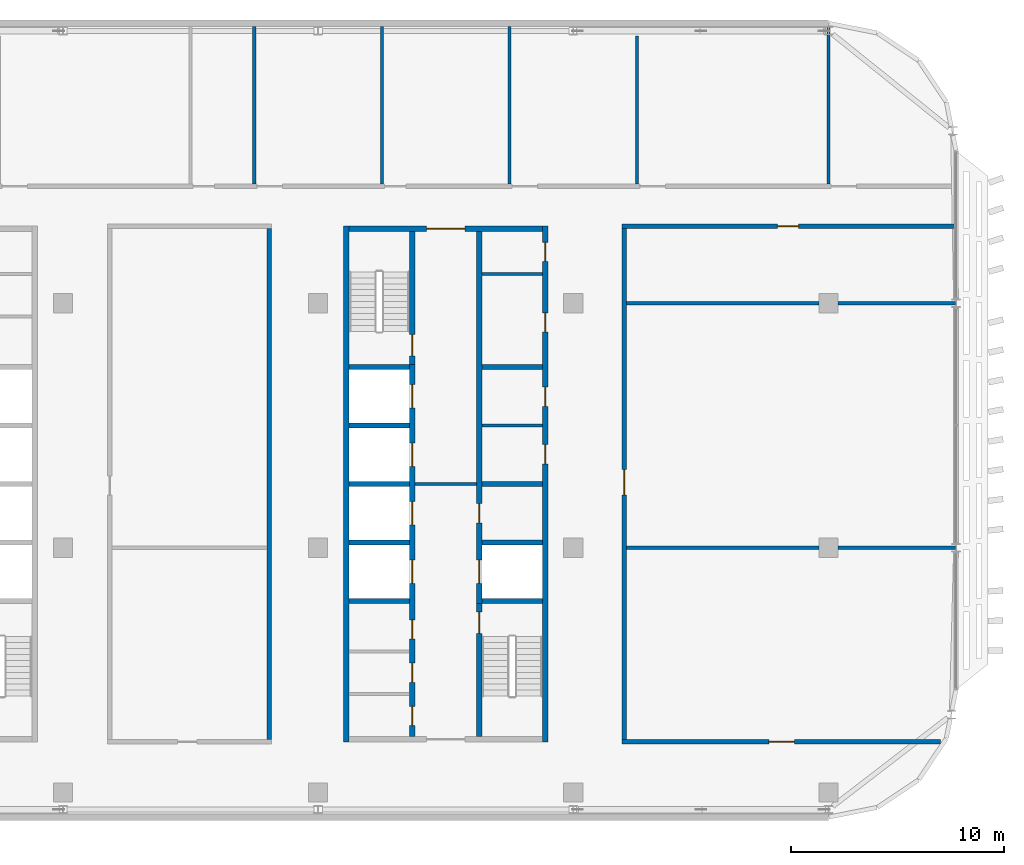
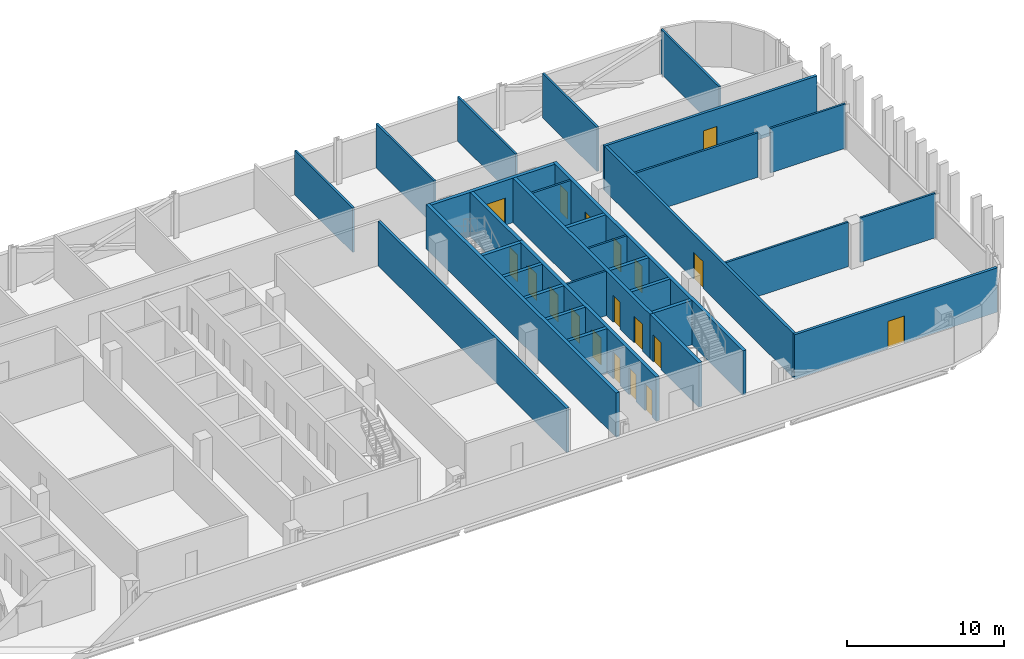
# One storey, part 15 of 25: 32 walls, 19 doors, 19 openings.
"""IFC4 building model written with IfcOpenShell, lengths in metres."""

from ifc_helpers import new_model, si_unit, direction, frame, frame_2d, origin, place, context, subcontext, project, spatial, rectangle, extrude, material, layer, layer_set, type_object, element, fill, save


model = new_model("IFC4")

# Units and contexts
model_context = context("Model", 3, precision=1e-05, world=origin(), true_north=direction((0.0, 1.0)))
body_context = subcontext(model_context, "Body", "Model", "MODEL_VIEW")
ifc_project = project(units=[si_unit("LENGTHUNIT", "METRE"), si_unit("AREAUNIT", "SQUARE_METRE"), si_unit("VOLUMEUNIT", "CUBIC_METRE"), si_unit("PLANEANGLEUNIT", "RADIAN"), si_unit("MASSUNIT", "GRAM", prefix="KILO")], contexts=[model_context])

# Site, building, storey
site_placement = place(None, origin())
site = spatial("IfcSite", under=ifc_project, at=site_placement, CompositionType="ELEMENT")
building_placement = place(site_placement, origin())
building = spatial("IfcBuilding", under=site, at=building_placement, Name="Mahtab Terrace Research Tower", CompositionType="ELEMENT")
storey_placement = place(building_placement, frame((0.0, 0.0, 278.5)))
storey = spatial("IfcBuildingStorey", under=building, at=storey_placement, Name="L68", CompositionType="ELEMENT", Elevation=278.5)

# Walls
ifc_material_1 = material(Name="Gypsum board partition")
ifc_layer_1 = layer(ifc_material_1, 0.14990234375)
ifc_layer_set_1 = layer_set([ifc_layer_1], Name="Core partition 150")
wall_type_1 = type_object("IfcWallType", Name="Core partition 150", PredefinedType="PARTITIONING", material=ifc_layer_set_1)
wall_1_placement = place(storey_placement, frame((22.550048828125, 3.0, 0.0), z_axis=(0.0, 0.0, 1.0), x_axis=(1.0, 0.0, 0.0)))
element("IfcWall", 1, at=wall_1_placement, inside=storey, type_object=wall_type_1, Name="Core wall C ffl", PredefinedType="PARTITIONING", context=body_context, shape_type="SweptSolid", body=[
    extrude(rectangle(XDim=2.89990234375, YDim=0.14990234375, at=frame_2d((1.449951171875, 0.0))), origin(), (0.0, 0.0, 1.0), 3.4599609375),
])
for number, where, z_axis, x_axis, name in (
    (2, (25.699951171875, 5.75, 0.0), (0.0, 0.0, 1.0), (1.0, 0.0, 0.0), "Core wall C pEL275"),
    (3, (25.699951171875, 12.875, 0.0), (0.0, 0.0, 1.0), (1.0, 0.0, 0.0), "Core wall C pEN988"),
):
    element("IfcWall", number, at=place(storey_placement, frame(where, z_axis=z_axis, x_axis=x_axis)), inside=storey, type_object=wall_type_1, Name=name, PredefinedType="PARTITIONING", context=body_context, shape_type="SweptSolid", body=[
        extrude(rectangle(XDim=2.85009765625, YDim=0.14990234375, at=frame_2d((1.425048828125, 0.0))), origin(), (0.0, 0.0, 1.0), 3.4599609375),
    ])
ifc_material_2 = material(Name="Concrete C70/85", Category="concrete")
ifc_layer_2 = layer(ifc_material_2, 0.25)
ifc_layer_set_2 = layer_set([ifc_layer_2], Name="Core wall 250")
wall_type_2 = type_object("IfcWallType", Name="Core wall 250", PredefinedType="SOLIDWALL", material=ifc_layer_set_2)
wall_2_placement = place(storey_placement, frame((19.324951171875, 15.125, 0.0), z_axis=(0.0, 0.0, 1.0), x_axis=(0.0, -1.0, 0.0)))
element("IfcWall", 4, at=wall_2_placement, inside=storey, type_object=wall_type_2, Name="Core wall C outerW", PredefinedType="SOLIDWALL", context=body_context, shape_type="SweptSolid", body=[
    extrude(rectangle(XDim=24.25, YDim=0.25, at=frame_2d((12.125, 0.0))), origin(), (0.0, 0.0, 1.0), 3.4599609375),
])

# Wall, openings, doors
wall_3_placement = place(storey_placement, frame((28.675048828125, -9.125, 0.0), z_axis=(0.0, 0.0, 1.0), x_axis=(0.0, 1.0, 0.0)))
wall_3 = element("IfcWall", 5, at=wall_3_placement, inside=storey, type_object=wall_type_2, Name="Core wall C outerE", PredefinedType="SOLIDWALL", context=body_context, shape_type="SweptSolid", body=[
    extrude(rectangle(XDim=24.25, YDim=0.25, at=frame_2d((12.125, 0.0))), origin(), (0.0, 0.0, 1.0), 3.4599609375),
])
opening_1_placement = place(wall_3_placement, frame((13.074951171875, 0.0, 0.0)))
opening_1 = element("IfcOpeningElement", 6, at=opening_1_placement, cuts=wall_3, Name="Opening C-R2", PredefinedType="OPENING", context=body_context, shape_type="SweptSolid", body=[
    extrude(rectangle(XDim=0.89990234375, YDim=2.10009765625, at=frame_2d((0.449951171875, 1.050048828125))), frame((0.0, 0.135009765625, 0.0), z_axis=(0.0, -1.0, 0.0), x_axis=(1.0, 0.0, 0.0)), (0.0, 0.0, 1.0), 0.27001953125),
])
opening_2_placement = place(wall_3_placement, frame((15.77490234375, 0.0, 0.0)))
opening_2 = element("IfcOpeningElement", 7, at=opening_2_placement, cuts=wall_3, Name="Opening C-R3", PredefinedType="OPENING", context=body_context, shape_type="SweptSolid", body=[
    extrude(rectangle(XDim=0.89990234375, YDim=2.10009765625, at=frame_2d((0.449951171875, 1.050048828125))), frame((0.0, 0.135009765625, 0.0), z_axis=(0.0, -1.0, 0.0), x_axis=(1.0, 0.0, 0.0)), (0.0, 0.0, 1.0), 0.27001953125),
])
opening_3_placement = place(wall_3_placement, frame((19.27490234375, 0.0, 0.0)))
opening_3 = element("IfcOpeningElement", 8, at=opening_3_placement, cuts=wall_3, Name="Opening C-R7", PredefinedType="OPENING", context=body_context, shape_type="SweptSolid", body=[
    extrude(rectangle(XDim=0.89990234375, YDim=2.10009765625, at=frame_2d((0.449951171875, 1.050048828125))), frame((0.0, 0.135009765625, 0.0), z_axis=(0.0, -1.0, 0.0), x_axis=(1.0, 0.0, 0.0)), (0.0, 0.0, 1.0), 0.27001953125),
])
opening_4_placement = place(wall_3_placement, frame((22.58740234375, 0.0, 0.0)))
opening_4 = element("IfcOpeningElement", 9, at=opening_4_placement, cuts=wall_3, Name="Opening C-R8", PredefinedType="OPENING", context=body_context, shape_type="SweptSolid", body=[
    extrude(rectangle(XDim=0.89990234375, YDim=2.10009765625, at=frame_2d((0.449951171875, 1.050048828125))), frame((0.0, 0.135009765625, 0.0), z_axis=(0.0, -1.0, 0.0), x_axis=(1.0, 0.0, 0.0)), (0.0, 0.0, 1.0), 0.27001953125),
])
ifc_material_3 = material(Name="Steel fire door", Category="steel")
door_type_1 = type_object("IfcDoorType", Name="Room door 900x2100 1 HR", OperationType="NOTDEFINED", PredefinedType="DOOR", material=ifc_material_3)
door_1_placement = place(opening_1_placement, origin())
door_1 = element("IfcDoor", 10, at=door_1_placement, inside=storey, type_object=door_type_1, Name="Document store door", OperationType="SINGLE_SWING_RIGHT", OverallHeight=2.10009765625, OverallWidth=0.89990234375, PredefinedType="DOOR", context=body_context, shape_type="SweptSolid", body=[
    extrude(rectangle(XDim=0.89990234375, YDim=2.10009765625, at=frame_2d((0.449951171875, 1.050048828125))), frame((0.0, 0.02490234375, 0.0), z_axis=(0.0, -1.0, 0.0), x_axis=(1.0, 0.0, 0.0)), (0.0, 0.0, 1.0), 0.050048828125),
])
fill(opening_1, door_1)
door_2_placement = place(opening_2_placement, origin())
door_2 = element("IfcDoor", 11, at=door_2_placement, inside=storey, type_object=door_type_1, Name="IT equipment room door", OperationType="SINGLE_SWING_LEFT", OverallHeight=2.10009765625, OverallWidth=0.89990234375, PredefinedType="DOOR", context=body_context, shape_type="SweptSolid", body=[
    extrude(rectangle(XDim=0.89990234375, YDim=2.10009765625, at=frame_2d((0.449951171875, 1.050048828125))), frame((0.0, 0.02490234375, 0.0), z_axis=(0.0, -1.0, 0.0), x_axis=(1.0, 0.0, 0.0)), (0.0, 0.0, 1.0), 0.050048828125),
])
fill(opening_2, door_2)
door_3_placement = place(opening_3_placement, origin())
door_3 = element("IfcDoor", 12, at=door_3_placement, inside=storey, type_object=door_type_1, Name="IT equipment room door", OperationType="SINGLE_SWING_LEFT", OverallHeight=2.10009765625, OverallWidth=0.89990234375, PredefinedType="DOOR", context=body_context, shape_type="SweptSolid", body=[
    extrude(rectangle(XDim=0.89990234375, YDim=2.10009765625, at=frame_2d((0.449951171875, 1.050048828125))), frame((0.0, 0.02490234375, 0.0), z_axis=(0.0, -1.0, 0.0), x_axis=(1.0, 0.0, 0.0)), (0.0, 0.0, 1.0), 0.050048828125),
])
fill(opening_3, door_3)
door_4_placement = place(opening_4_placement, origin())
door_4 = element("IfcDoor", 13, at=door_4_placement, inside=storey, type_object=door_type_1, Name="Electrical riser room door", OperationType="SINGLE_SWING_RIGHT", OverallHeight=2.10009765625, OverallWidth=0.89990234375, PredefinedType="DOOR", context=body_context, shape_type="SweptSolid", body=[
    extrude(rectangle(XDim=0.89990234375, YDim=2.10009765625, at=frame_2d((0.449951171875, 1.050048828125))), frame((0.0, 0.02490234375, 0.0), z_axis=(0.0, -1.0, 0.0), x_axis=(1.0, 0.0, 0.0)), (0.0, 0.0, 1.0), 0.050048828125),
])
fill(opening_4, door_4)

# Wall, opening, door
wall_4_placement = place(storey_placement, frame((19.449951171875, 15.0, 0.0), z_axis=(0.0, 0.0, 1.0), x_axis=(1.0, 0.0, 0.0)))
wall_4 = element("IfcWall", 14, at=wall_4_placement, inside=storey, type_object=wall_type_2, Name="Core wall C endN", PredefinedType="SOLIDWALL", context=body_context, shape_type="SweptSolid", body=[
    extrude(rectangle(XDim=9.10009765625, YDim=0.25, at=frame_2d((4.550048828125, 0.0))), origin(), (0.0, 0.0, 1.0), 3.4599609375),
])
opening_5_placement = place(wall_4_placement, frame((3.64990234375, 0.0, 0.0)))
opening_5 = element("IfcOpeningElement", 15, at=opening_5_placement, cuts=wall_4, Name="Opening C-N1", PredefinedType="OPENING", context=body_context, shape_type="SweptSolid", body=[
    extrude(rectangle(XDim=1.800048828125, YDim=2.10009765625, at=frame_2d((0.89990234375, 1.050048828125))), frame((0.0, 0.135009765625, 0.0), z_axis=(0.0, -1.0, 0.0), x_axis=(1.0, 0.0, 0.0)), (0.0, 0.0, 1.0), 0.27001953125),
])
door_type_2 = type_object("IfcDoorType", Name="Lobby double door 1800x2100 1 HR", OperationType="DOUBLE_DOOR_SINGLE_SWING", PredefinedType="DOOR", material=ifc_material_3)
door_5_placement = place(opening_5_placement, origin())
door_5 = element("IfcDoor", 16, at=door_5_placement, inside=storey, type_object=door_type_2, Name="Core entrance door C N", OperationType="DOUBLE_DOOR_SINGLE_SWING", OverallHeight=2.10009765625, OverallWidth=1.800048828125, PredefinedType="DOOR", context=body_context, shape_type="SweptSolid", body=[
    extrude(rectangle(XDim=1.800048828125, YDim=2.10009765625, at=frame_2d((0.89990234375, 1.050048828125))), frame((0.0, 0.02490234375, 0.0), z_axis=(0.0, -1.0, 0.0), x_axis=(1.0, 0.0, 0.0)), (0.0, 0.0, 1.0), 0.050048828125),
])
fill(opening_5, door_5)

# Wall, openings, doors
wall_5_placement = place(storey_placement, frame((22.425048828125, -8.875, 0.0), z_axis=(0.0, 0.0, 1.0), x_axis=(0.0, 1.0, 0.0)))
wall_5 = element("IfcWall", 17, at=wall_5_placement, inside=storey, type_object=wall_type_2, Name="Core wall C innerWSL", PredefinedType="SOLIDWALL", context=body_context, shape_type="SweptSolid", body=[
    extrude(rectangle(XDim=17.5, YDim=0.25, at=frame_2d((8.75, 0.0))), origin(), (0.0, 0.0, 1.0), 3.4599609375),
])
opening_6_placement = place(wall_5_placement, frame((7.199951171875, 0.0, 0.0)))
opening_6 = element("IfcOpeningElement", 18, at=opening_6_placement, cuts=wall_5, Name="Opening LD17-L68", PredefinedType="OPENING", context=body_context, shape_type="SweptSolid", body=[
    extrude(rectangle(XDim=1.10009765625, YDim=2.10009765625, at=frame_2d((0.550048828125, 1.050048828125))), frame((0.0, 0.135009765625, 0.0), z_axis=(0.0, -1.0, 0.0), x_axis=(1.0, 0.0, 0.0)), (0.0, 0.0, 1.0), 0.27001953125),
])
opening_7_placement = place(wall_5_placement, frame((9.949951171875, 0.0, 0.0)))
opening_7 = element("IfcOpeningElement", 19, at=opening_7_placement, cuts=wall_5, Name="Opening LD18-L68", PredefinedType="OPENING", context=body_context, shape_type="SweptSolid", body=[
    extrude(rectangle(XDim=1.10009765625, YDim=2.10009765625, at=frame_2d((0.550048828125, 1.050048828125))), frame((0.0, 0.135009765625, 0.0), z_axis=(0.0, -1.0, 0.0), x_axis=(1.0, 0.0, 0.0)), (0.0, 0.0, 1.0), 0.27001953125),
])
opening_8_placement = place(wall_5_placement, frame((12.699951171875, 0.0, 0.0)))
opening_8 = element("IfcOpeningElement", 20, at=opening_8_placement, cuts=wall_5, Name="Opening LD19-L68", PredefinedType="OPENING", context=body_context, shape_type="SweptSolid", body=[
    extrude(rectangle(XDim=1.10009765625, YDim=2.10009765625, at=frame_2d((0.550048828125, 1.050048828125))), frame((0.0, 0.135009765625, 0.0), z_axis=(0.0, -1.0, 0.0), x_axis=(1.0, 0.0, 0.0)), (0.0, 0.0, 1.0), 0.27001953125),
])
opening_9_placement = place(wall_5_placement, frame((15.449951171875, 0.0, 0.0)))
opening_9 = element("IfcOpeningElement", 21, at=opening_9_placement, cuts=wall_5, Name="Opening LD20-L68", PredefinedType="OPENING", context=body_context, shape_type="SweptSolid", body=[
    extrude(rectangle(XDim=1.10009765625, YDim=2.10009765625, at=frame_2d((0.550048828125, 1.050048828125))), frame((0.0, 0.135009765625, 0.0), z_axis=(0.0, -1.0, 0.0), x_axis=(1.0, 0.0, 0.0)), (0.0, 0.0, 1.0), 0.27001953125),
])
opening_10_placement = place(wall_5_placement, frame((0.512451171875, 0.0, 0.0)))
opening_10 = element("IfcOpeningElement", 22, at=opening_10_placement, cuts=wall_5, Name="Opening C-R4", PredefinedType="OPENING", context=body_context, shape_type="SweptSolid", body=[
    extrude(rectangle(XDim=0.89990234375, YDim=2.10009765625, at=frame_2d((0.449951171875, 1.050048828125))), frame((0.0, 0.135009765625, 0.0), z_axis=(0.0, -1.0, 0.0), x_axis=(1.0, 0.0, 0.0)), (0.0, 0.0, 1.0), 0.27001953125),
])
opening_11_placement = place(wall_5_placement, frame((2.550048828125, 0.0, 0.0)))
opening_11 = element("IfcOpeningElement", 23, at=opening_11_placement, cuts=wall_5, Name="Opening C-R5", PredefinedType="OPENING", context=body_context, shape_type="SweptSolid", body=[
    extrude(rectangle(XDim=0.89990234375, YDim=2.10009765625, at=frame_2d((0.449951171875, 1.050048828125))), frame((0.0, 0.135009765625, 0.0), z_axis=(0.0, -1.0, 0.0), x_axis=(1.0, 0.0, 0.0)), (0.0, 0.0, 1.0), 0.27001953125),
])
opening_12_placement = place(wall_5_placement, frame((4.58740234375, 0.0, 0.0)))
opening_12 = element("IfcOpeningElement", 24, at=opening_12_placement, cuts=wall_5, Name="Opening C-R6", PredefinedType="OPENING", context=body_context, shape_type="SweptSolid", body=[
    extrude(rectangle(XDim=0.89990234375, YDim=2.10009765625, at=frame_2d((0.449951171875, 1.050048828125))), frame((0.0, 0.135009765625, 0.0), z_axis=(0.0, -1.0, 0.0), x_axis=(1.0, 0.0, 0.0)), (0.0, 0.0, 1.0), 0.27001953125),
])
ifc_material_4 = material(Name="Stainless steel AISI 304", Category="steel")
door_type_3 = type_object("IfcDoorType", Name="Landing door 1100x2100", OperationType="DOUBLE_DOOR_SLIDING", PredefinedType="DOOR", material=ifc_material_4)
door_6_placement = place(opening_6_placement, origin())
door_6 = element("IfcDoor", 25, at=door_6_placement, inside=storey, type_object=door_type_3, Name="Landing door SV1 L68", OperationType="DOUBLE_DOOR_SLIDING", OverallHeight=2.10009765625, OverallWidth=1.10009765625, PredefinedType="DOOR", context=body_context, shape_type="SweptSolid", body=[
    extrude(rectangle(XDim=1.10009765625, YDim=2.10009765625, at=frame_2d((0.550048828125, 1.050048828125))), frame((0.0, 0.02490234375, 0.0), z_axis=(0.0, -1.0, 0.0), x_axis=(1.0, 0.0, 0.0)), (0.0, 0.0, 1.0), 0.050048828125),
])
fill(opening_6, door_6)
door_7_placement = place(opening_7_placement, origin())
door_7 = element("IfcDoor", 26, at=door_7_placement, inside=storey, type_object=door_type_3, Name="Landing door SV2 L68", OperationType="DOUBLE_DOOR_SLIDING", OverallHeight=2.10009765625, OverallWidth=1.10009765625, PredefinedType="DOOR", context=body_context, shape_type="SweptSolid", body=[
    extrude(rectangle(XDim=1.10009765625, YDim=2.10009765625, at=frame_2d((0.550048828125, 1.050048828125))), frame((0.0, 0.02490234375, 0.0), z_axis=(0.0, -1.0, 0.0), x_axis=(1.0, 0.0, 0.0)), (0.0, 0.0, 1.0), 0.050048828125),
])
fill(opening_7, door_7)
door_8_placement = place(opening_8_placement, origin())
door_8 = element("IfcDoor", 27, at=door_8_placement, inside=storey, type_object=door_type_3, Name="Landing door FF1 L68", OperationType="DOUBLE_DOOR_SLIDING", OverallHeight=2.10009765625, OverallWidth=1.10009765625, PredefinedType="DOOR", context=body_context, shape_type="SweptSolid", body=[
    extrude(rectangle(XDim=1.10009765625, YDim=2.10009765625, at=frame_2d((0.550048828125, 1.050048828125))), frame((0.0, 0.02490234375, 0.0), z_axis=(0.0, -1.0, 0.0), x_axis=(1.0, 0.0, 0.0)), (0.0, 0.0, 1.0), 0.050048828125),
])
fill(opening_8, door_8)
door_9_placement = place(opening_9_placement, origin())
door_9 = element("IfcDoor", 28, at=door_9_placement, inside=storey, type_object=door_type_3, Name="Landing door FF2 L68", OperationType="DOUBLE_DOOR_SLIDING", OverallHeight=2.10009765625, OverallWidth=1.10009765625, PredefinedType="DOOR", context=body_context, shape_type="SweptSolid", body=[
    extrude(rectangle(XDim=1.10009765625, YDim=2.10009765625, at=frame_2d((0.550048828125, 1.050048828125))), frame((0.0, 0.02490234375, 0.0), z_axis=(0.0, -1.0, 0.0), x_axis=(1.0, 0.0, 0.0)), (0.0, 0.0, 1.0), 0.050048828125),
])
fill(opening_9, door_9)
door_10_placement = place(opening_10_placement, origin())
door_10 = element("IfcDoor", 29, at=door_10_placement, inside=storey, type_object=door_type_1, Name="Male WC door", OperationType="SINGLE_SWING_RIGHT", OverallHeight=2.10009765625, OverallWidth=0.89990234375, PredefinedType="DOOR", context=body_context, shape_type="SweptSolid", body=[
    extrude(rectangle(XDim=0.89990234375, YDim=2.10009765625, at=frame_2d((0.449951171875, 1.050048828125))), frame((0.0, 0.02490234375, 0.0), z_axis=(0.0, -1.0, 0.0), x_axis=(1.0, 0.0, 0.0)), (0.0, 0.0, 1.0), 0.050048828125),
])
fill(opening_10, door_10)
door_11_placement = place(opening_11_placement, origin())
door_11 = element("IfcDoor", 30, at=door_11_placement, inside=storey, type_object=door_type_1, Name="Female WC door", OperationType="SINGLE_SWING_LEFT", OverallHeight=2.10009765625, OverallWidth=0.89990234375, PredefinedType="DOOR", context=body_context, shape_type="SweptSolid", body=[
    extrude(rectangle(XDim=0.89990234375, YDim=2.10009765625, at=frame_2d((0.449951171875, 1.050048828125))), frame((0.0, 0.02490234375, 0.0), z_axis=(0.0, -1.0, 0.0), x_axis=(1.0, 0.0, 0.0)), (0.0, 0.0, 1.0), 0.050048828125),
])
fill(opening_11, door_11)
door_12_placement = place(opening_12_placement, origin())
door_12 = element("IfcDoor", 31, at=door_12_placement, inside=storey, type_object=door_type_1, Name="Accessible WC door", OperationType="SINGLE_SWING_RIGHT", OverallHeight=2.10009765625, OverallWidth=0.89990234375, PredefinedType="DOOR", context=body_context, shape_type="SweptSolid", body=[
    extrude(rectangle(XDim=0.89990234375, YDim=2.10009765625, at=frame_2d((0.449951171875, 1.050048828125))), frame((0.0, 0.02490234375, 0.0), z_axis=(0.0, -1.0, 0.0), x_axis=(1.0, 0.0, 0.0)), (0.0, 0.0, 1.0), 0.050048828125),
])
fill(opening_12, door_12)

# Wall, opening, door
wall_6_placement = place(storey_placement, frame((22.425048828125, 14.875, 0.0), z_axis=(0.0, 0.0, 1.0), x_axis=(0.0, -1.0, 0.0)))
wall_6 = element("IfcWall", 32, at=wall_6_placement, inside=storey, type_object=wall_type_2, Name="Core wall C innerWN", PredefinedType="SOLIDWALL", context=body_context, shape_type="SweptSolid", body=[
    extrude(rectangle(XDim=6.25, YDim=0.25, at=frame_2d((3.125, 0.0))), origin(), (0.0, 0.0, 1.0), 3.4599609375),
])
opening_13_placement = place(wall_6_placement, frame((4.85009765625, 0.0, 0.0)))
opening_13 = element("IfcOpeningElement", 33, at=opening_13_placement, cuts=wall_6, Name="Opening C-ST3", PredefinedType="OPENING", context=body_context, shape_type="SweptSolid", body=[
    extrude(rectangle(XDim=1.0, YDim=2.10009765625, at=frame_2d((0.5, 1.050048828125))), frame((0.0, 0.135009765625, 0.0), z_axis=(0.0, -1.0, 0.0), x_axis=(1.0, 0.0, 0.0)), (0.0, 0.0, 1.0), 0.27001953125),
])
door_type_4 = type_object("IfcDoorType", Name="Stair door 1000x2100 1.5 HR", OperationType="NOTDEFINED", PredefinedType="DOOR", material=ifc_material_3)
door_13_placement = place(opening_13_placement, origin())
door_13 = element("IfcDoor", 34, at=door_13_placement, inside=storey, type_object=door_type_4, Name="Stair door ST3 L68", OperationType="SINGLE_SWING_LEFT", OverallHeight=2.10009765625, OverallWidth=1.0, PredefinedType="DOOR", context=body_context, shape_type="SweptSolid", body=[
    extrude(rectangle(XDim=1.0, YDim=2.10009765625, at=frame_2d((0.5, 1.050048828125))), frame((0.0, 0.02490234375, 0.0), z_axis=(0.0, -1.0, 0.0), x_axis=(1.0, 0.0, 0.0)), (0.0, 0.0, 1.0), 0.050048828125),
])
fill(opening_13, door_13)

wall_7_placement = place(storey_placement, frame((25.574951171875, -8.875, 0.0), z_axis=(0.0, 0.0, 1.0), x_axis=(0.0, 1.0, 0.0)))
wall_7 = element("IfcWall", 35, at=wall_7_placement, inside=storey, type_object=wall_type_2, Name="Core wall C innerES", PredefinedType="SOLIDWALL", context=body_context, shape_type="SweptSolid", body=[
    extrude(rectangle(XDim=6.25, YDim=0.25, at=frame_2d((3.125, 0.0))), origin(), (0.0, 0.0, 1.0), 3.4599609375),
])
opening_14_placement = place(wall_7_placement, frame((4.85009765625, 0.0, 0.0)))
opening_14 = element("IfcOpeningElement", 36, at=opening_14_placement, cuts=wall_7, Name="Opening C-ST4", PredefinedType="OPENING", context=body_context, shape_type="SweptSolid", body=[
    extrude(rectangle(XDim=1.0, YDim=2.10009765625, at=frame_2d((0.5, 1.050048828125))), frame((0.0, 0.135009765625, 0.0), z_axis=(0.0, -1.0, 0.0), x_axis=(1.0, 0.0, 0.0)), (0.0, 0.0, 1.0), 0.27001953125),
])
door_14_placement = place(opening_14_placement, origin())
door_14 = element("IfcDoor", 37, at=door_14_placement, inside=storey, type_object=door_type_4, Name="Stair door ST4 L68", OperationType="SINGLE_SWING_RIGHT", OverallHeight=2.10009765625, OverallWidth=1.0, PredefinedType="DOOR", context=body_context, shape_type="SweptSolid", body=[
    extrude(rectangle(XDim=1.0, YDim=2.10009765625, at=frame_2d((0.5, 1.050048828125))), frame((0.0, 0.02490234375, 0.0), z_axis=(0.0, -1.0, 0.0), x_axis=(1.0, 0.0, 0.0)), (0.0, 0.0, 1.0), 0.050048828125),
])
fill(opening_14, door_14)

# Wall, openings, doors
wall_8_placement = place(storey_placement, frame((25.574951171875, 14.875, 0.0), z_axis=(0.0, 0.0, 1.0), x_axis=(0.0, -1.0, 0.0)))
wall_8 = element("IfcWall", 38, at=wall_8_placement, inside=storey, type_object=wall_type_2, Name="Core wall C innerELN", PredefinedType="SOLIDWALL", context=body_context, shape_type="SweptSolid", body=[
    extrude(rectangle(XDim=17.5, YDim=0.25, at=frame_2d((8.75, 0.0))), origin(), (0.0, 0.0, 1.0), 3.4599609375),
])
opening_15_placement = place(wall_8_placement, frame((15.449951171875, 0.0, 0.0)))
opening_15 = element("IfcOpeningElement", 39, at=opening_15_placement, cuts=wall_8, Name="Opening LD21-L68", PredefinedType="OPENING", context=body_context, shape_type="SweptSolid", body=[
    extrude(rectangle(XDim=1.10009765625, YDim=2.10009765625, at=frame_2d((0.550048828125, 1.050048828125))), frame((0.0, 0.135009765625, 0.0), z_axis=(0.0, -1.0, 0.0), x_axis=(1.0, 0.0, 0.0)), (0.0, 0.0, 1.0), 0.27001953125),
])
opening_16_placement = place(wall_8_placement, frame((12.800048828125, 0.0, 0.0)))
opening_16 = element("IfcOpeningElement", 40, at=opening_16_placement, cuts=wall_8, Name="Opening C-R1", PredefinedType="OPENING", context=body_context, shape_type="SweptSolid", body=[
    extrude(rectangle(XDim=0.89990234375, YDim=2.10009765625, at=frame_2d((0.449951171875, 1.050048828125))), frame((0.0, 0.135009765625, 0.0), z_axis=(0.0, -1.0, 0.0), x_axis=(1.0, 0.0, 0.0)), (0.0, 0.0, 1.0), 0.27001953125),
])
door_15_placement = place(opening_15_placement, origin())
door_15 = element("IfcDoor", 41, at=door_15_placement, inside=storey, type_object=door_type_3, Name="Landing door SV3 L68", OperationType="DOUBLE_DOOR_SLIDING", OverallHeight=2.10009765625, OverallWidth=1.10009765625, PredefinedType="DOOR", context=body_context, shape_type="SweptSolid", body=[
    extrude(rectangle(XDim=1.10009765625, YDim=2.10009765625, at=frame_2d((0.550048828125, 1.050048828125))), frame((0.0, 0.02490234375, 0.0), z_axis=(0.0, -1.0, 0.0), x_axis=(1.0, 0.0, 0.0)), (0.0, 0.0, 1.0), 0.050048828125),
])
fill(opening_15, door_15)
door_16_placement = place(opening_16_placement, origin())
door_16 = element("IfcDoor", 42, at=door_16_placement, inside=storey, type_object=door_type_1, Name="Plant room door", OperationType="SINGLE_SWING_LEFT", OverallHeight=2.10009765625, OverallWidth=0.89990234375, PredefinedType="DOOR", context=body_context, shape_type="SweptSolid", body=[
    extrude(rectangle(XDim=0.89990234375, YDim=2.10009765625, at=frame_2d((0.449951171875, 1.050048828125))), frame((0.0, 0.02490234375, 0.0), z_axis=(0.0, -1.0, 0.0), x_axis=(1.0, 0.0, 0.0)), (0.0, 0.0, 1.0), 0.050048828125),
])
fill(opening_16, door_16)

# Walls
for number, where, z_axis, x_axis, name in (
    (43, (19.449951171875, -2.5, 0.0), (0.0, 0.0, 1.0), (1.0, 0.0, 0.0), "Core wall C divW0"),
    (44, (19.449951171875, 0.25, 0.0), (0.0, 0.0, 1.0), (1.0, 0.0, 0.0), "Core wall C divW1"),
    (45, (19.449951171875, 3.0, 0.0), (0.0, 0.0, 1.0), (1.0, 0.0, 0.0), "Core wall C divW2"),
    (46, (19.449951171875, 5.75, 0.0), (0.0, 0.0, 1.0), (1.0, 0.0, 0.0), "Core wall C divW3"),
    (47, (19.449951171875, 8.5, 0.0), (0.0, 0.0, 1.0), (1.0, 0.0, 0.0), "Core wall C divW4"),
    (48, (25.699951171875, -2.5, 0.0), (0.0, 0.0, 1.0), (1.0, 0.0, 0.0), "Core wall C divE0"),
    (49, (25.699951171875, 0.25, 0.0), (0.0, 0.0, 1.0), (1.0, 0.0, 0.0), "Core wall C divE1"),
    (50, (25.699951171875, 3.0, 0.0), (0.0, 0.0, 1.0), (1.0, 0.0, 0.0), "Core wall C divE2"),
    (51, (25.699951171875, 8.5, 0.0), (0.0, 0.0, 1.0), (1.0, 0.0, 0.0), "Core wall C divE4"),
):
    element("IfcWall", number, at=place(storey_placement, frame(where, z_axis=z_axis, x_axis=x_axis)), inside=storey, type_object=wall_type_2, Name=name, PredefinedType="SOLIDWALL", context=body_context, shape_type="SweptSolid", body=[
        extrude(rectangle(XDim=2.85009765625, YDim=0.25, at=frame_2d((1.425048828125, 0.0))), origin(), (0.0, 0.0, 1.0), 3.4599609375),
    ])

# Wall, opening, door
ifc_material_5 = material(Name="Gypsum board corridor wall on steel studs", Category="steel")
ifc_layer_3 = layer(ifc_material_5, 0.199951171875)
ifc_layer_set_3 = layer_set([ifc_layer_3], Name="WALL CORRIDOR 200")
wall_type_3 = type_object("IfcWallType", Name="WALL CORRIDOR 200", PredefinedType="PARTITIONING", material=ifc_layer_set_3)
wall_9_placement = place(storey_placement, frame((32.300048828125, -9.125, 0.0), z_axis=(0.0, 0.0, 1.0), x_axis=(1.0, 0.0, 0.0)))
wall_9 = element("IfcWall", 52, at=wall_9_placement, inside=storey, type_object=wall_type_3, Name="L68-W004", PredefinedType="PARTITIONING", context=body_context, shape_type="SweptSolid", body=[
    extrude(rectangle(XDim=14.955322265625, YDim=0.199951171875, at=frame_2d((7.4775390625, 0.0))), origin(), (0.0, 0.0, 1.0), 3.4599609375),
])
opening_17_placement = place(wall_9_placement, frame((6.89990234375, 0.0, 0.0)))
opening_17 = element("IfcOpeningElement", 53, at=opening_17_placement, cuts=wall_9, Name="Opening L68-104", PredefinedType="OPENING", context=body_context, shape_type="SweptSolid", body=[
    extrude(rectangle(XDim=1.199951171875, YDim=2.10009765625, at=frame_2d((0.60009765625, 1.050048828125))), frame((0.0, 0.10986328125, 0.0), z_axis=(0.0, -1.0, 0.0), x_axis=(1.0, 0.0, 0.0)), (0.0, 0.0, 1.0), 0.219970703125),
])
ifc_material_6 = material(Name="Timber door leaf in steel frame", Category="steel")
door_type_5 = type_object("IfcDoorType", Name="DOOR 1200X2100 FD30S", OperationType="SINGLE_SWING_LEFT", PredefinedType="DOOR", material=ifc_material_6)
door_17_placement = place(opening_17_placement, origin())
door_17 = element("IfcDoor", 54, at=door_17_placement, inside=storey, type_object=door_type_5, Name="Door L68-104", OperationType="SINGLE_SWING_RIGHT", OverallHeight=2.10009765625, OverallWidth=1.199951171875, PredefinedType="DOOR", context=body_context, shape_type="SweptSolid", body=[
    extrude(rectangle(XDim=1.199951171875, YDim=2.10009765625, at=frame_2d((0.60009765625, 1.050048828125))), frame((0.0, 0.02490234375, 0.0), z_axis=(0.0, -1.0, 0.0), x_axis=(1.0, 0.0, 0.0)), (0.0, 0.0, 1.0), 0.050048828125),
])
fill(opening_17, door_17)

wall_10_placement = place(storey_placement, frame((32.300048828125, 15.125, 0.0), z_axis=(0.0, 0.0, 1.0), x_axis=(1.0, 0.0, 0.0)))
wall_10 = element("IfcWall", 55, at=wall_10_placement, inside=storey, type_object=wall_type_3, Name="L68-W017", PredefinedType="PARTITIONING", context=body_context, shape_type="SweptSolid", body=[
    extrude(rectangle(XDim=15.675048828125, YDim=0.199951171875, at=frame_2d((7.83740234375, 0.0))), origin(), (0.0, 0.0, 1.0), 3.4599609375),
])
opening_18_placement = place(wall_10_placement, frame((7.300048828125, 0.0, 0.0)))
opening_18 = element("IfcOpeningElement", 56, at=opening_18_placement, cuts=wall_10, Name="Opening L68-110", PredefinedType="OPENING", context=body_context, shape_type="SweptSolid", body=[
    extrude(rectangle(XDim=1.0, YDim=2.10009765625, at=frame_2d((0.5, 1.050048828125))), frame((0.0, 0.10986328125, 0.0), z_axis=(0.0, -1.0, 0.0), x_axis=(1.0, 0.0, 0.0)), (0.0, 0.0, 1.0), 0.219970703125),
])
door_type_6 = type_object("IfcDoorType", Name="DOOR 1000X2100 FD30S", OperationType="SINGLE_SWING_LEFT", PredefinedType="DOOR", material=ifc_material_6)
door_18_placement = place(opening_18_placement, origin())
door_18 = element("IfcDoor", 57, at=door_18_placement, inside=storey, type_object=door_type_6, Name="Door L68-110", OperationType="SINGLE_SWING_LEFT", OverallHeight=2.10009765625, OverallWidth=1.0, PredefinedType="DOOR", context=body_context, shape_type="SweptSolid", body=[
    extrude(rectangle(XDim=1.0, YDim=2.10009765625, at=frame_2d((0.5, 1.050048828125))), frame((0.0, 0.02490234375, 0.0), z_axis=(0.0, -1.0, 0.0), x_axis=(1.0, 0.0, 0.0)), (0.0, 0.0, 1.0), 0.050048828125),
])
fill(opening_18, door_18)

# Wall
wall_11_placement = place(storey_placement, frame((15.699951171875, -9.02490234375, 0.0), z_axis=(0.0, 0.0, 1.0), x_axis=(0.0, 1.0, 0.0)))
element("IfcWall", 58, at=wall_11_placement, inside=storey, type_object=wall_type_3, Name="L68-W033", PredefinedType="PARTITIONING", context=body_context, shape_type="SweptSolid", body=[
    extrude(rectangle(XDim=24.0498046875, YDim=0.199951171875, at=frame_2d((12.02490234375, 0.0))), origin(), (0.0, 0.0, 1.0), 3.4599609375),
])

# Wall, opening, door
wall_12_placement = place(storey_placement, frame((32.39990234375, -9.02490234375, 0.0), z_axis=(0.0, 0.0, 1.0), x_axis=(0.0, 1.0, 0.0)))
wall_12 = element("IfcWall", 59, at=wall_12_placement, inside=storey, type_object=wall_type_3, Name="L68-W036", PredefinedType="PARTITIONING", context=body_context, shape_type="SweptSolid", body=[
    extrude(rectangle(XDim=24.0498046875, YDim=0.199951171875, at=frame_2d((12.02490234375, 0.0))), origin(), (0.0, 0.0, 1.0), 3.4599609375),
])
opening_19_placement = place(wall_12_placement, frame((11.5, 0.0, 0.0)))
opening_19 = element("IfcOpeningElement", 60, at=opening_19_placement, cuts=wall_12, Name="Opening L68-106", PredefinedType="OPENING", context=body_context, shape_type="SweptSolid", body=[
    extrude(rectangle(XDim=1.199951171875, YDim=2.10009765625, at=frame_2d((0.60009765625, 1.050048828125))), frame((0.0, 0.10986328125, 0.0), z_axis=(0.0, -1.0, 0.0), x_axis=(1.0, 0.0, 0.0)), (0.0, 0.0, 1.0), 0.219970703125),
])
door_19_placement = place(opening_19_placement, origin())
door_19 = element("IfcDoor", 61, at=door_19_placement, inside=storey, type_object=door_type_5, Name="Door L68-106", OperationType="SINGLE_SWING_LEFT", OverallHeight=2.10009765625, OverallWidth=1.199951171875, PredefinedType="DOOR", context=body_context, shape_type="SweptSolid", body=[
    extrude(rectangle(XDim=1.199951171875, YDim=2.10009765625, at=frame_2d((0.60009765625, 1.050048828125))), frame((0.0, 0.02490234375, 0.0), z_axis=(0.0, -1.0, 0.0), x_axis=(1.0, 0.0, 0.0)), (0.0, 0.0, 1.0), 0.050048828125),
])
fill(opening_19, door_19)

# Walls
ifc_material_7 = material(Name="Gypsum board partition on steel studs", Category="steel")
ifc_layer_4 = layer(ifc_material_7, 0.14990234375)
ifc_layer_set_4 = layer_set([ifc_layer_4], Name="WALL PARTITION 150")
wall_type_4 = type_object("IfcWallType", Name="WALL PARTITION 150", PredefinedType="PARTITIONING", material=ifc_layer_set_4)
wall_13_placement = place(storey_placement, frame((32.5, 0.0, 0.0), z_axis=(0.0, 0.0, 1.0), x_axis=(1.0, 0.0, 0.0)))
element("IfcWall", 62, at=wall_13_placement, inside=storey, type_object=wall_type_4, Name="L68-W009", PredefinedType="PARTITIONING", context=body_context, shape_type="SweptSolid", body=[
    extrude(rectangle(XDim=9.050048828125, YDim=0.14990234375, at=frame_2d((4.52490234375, 0.0))), origin(), (0.0, 0.0, 1.0), 3.4599609375),
])
wall_14_placement = place(storey_placement, frame((42.449951171875, 0.0, 0.0), z_axis=(0.0, 0.0, 1.0), x_axis=(1.0, 0.0, 0.0)))
element("IfcWall", 63, at=wall_14_placement, inside=storey, type_object=wall_type_4, Name="L68-W010", PredefinedType="PARTITIONING", context=body_context, shape_type="SweptSolid", body=[
    extrude(rectangle(XDim=5.525146484375, YDim=0.14990234375, at=frame_2d((2.7626953125, 0.0))), origin(), (0.0, 0.0, 1.0), 3.4599609375),
])
wall_15_placement = place(storey_placement, frame((32.5, 11.5, 0.0), z_axis=(0.0, 0.0, 1.0), x_axis=(1.0, 0.0, 0.0)))
element("IfcWall", 64, at=wall_15_placement, inside=storey, type_object=wall_type_4, Name="L68-W012", PredefinedType="PARTITIONING", context=body_context, shape_type="SweptSolid", body=[
    extrude(rectangle(XDim=9.050048828125, YDim=0.14990234375, at=frame_2d((4.52490234375, 0.0))), origin(), (0.0, 0.0, 1.0), 3.4599609375),
])
wall_16_placement = place(storey_placement, frame((42.449951171875, 11.5, 0.0), z_axis=(0.0, 0.0, 1.0), x_axis=(1.0, 0.0, 0.0)))
element("IfcWall", 65, at=wall_16_placement, inside=storey, type_object=wall_type_4, Name="L68-W013", PredefinedType="PARTITIONING", context=body_context, shape_type="SweptSolid", body=[
    extrude(rectangle(XDim=5.525146484375, YDim=0.14990234375, at=frame_2d((2.7626953125, 0.0))), origin(), (0.0, 0.0, 1.0), 3.4599609375),
])
for number, where, z_axis, x_axis, name in (
    (66, (15.0, 17.10009765625, 0.0), (0.0, 0.0, 1.0), (0.0, 1.0, 0.0), "L68-W032"),
    (67, (21.0, 17.10009765625, 0.0), (0.0, 0.0, 1.0), (0.0, 1.0, 0.0), "L68-W034"),
    (68, (27.0, 17.10009765625, 0.0), (0.0, 0.0, 1.0), (0.0, 1.0, 0.0), "L68-W035"),
):
    element("IfcWall", number, at=place(storey_placement, frame(where, z_axis=z_axis, x_axis=x_axis)), inside=storey, type_object=wall_type_4, Name=name, PredefinedType="PARTITIONING", context=body_context, shape_type="SweptSolid", body=[
        extrude(rectangle(XDim=7.41796875, YDim=0.14990234375, at=frame_2d((3.708984375, 0.0))), origin(), (0.0, 0.0, 1.0), 3.4599609375),
    ])
wall_17_placement = place(storey_placement, frame((33.0, 17.10009765625, 0.0), z_axis=(0.0, 0.0, 1.0), x_axis=(0.0, 1.0, 0.0)))
element("IfcWall", 69, at=wall_17_placement, inside=storey, type_object=wall_type_4, Name="L68-W037", PredefinedType="PARTITIONING", context=body_context, shape_type="SweptSolid", body=[
    extrude(rectangle(XDim=6.95458984375, YDim=0.14990234375, at=frame_2d((3.477294921875, 0.0))), origin(), (0.0, 0.0, 1.0), 3.4599609375),
])
wall_18_placement = place(storey_placement, frame((42.0, 17.10009765625, 0.0), z_axis=(0.0, 0.0, 1.0), x_axis=(0.0, 1.0, 0.0)))
element("IfcWall", 70, at=wall_18_placement, inside=storey, type_object=wall_type_4, Name="L68-W038", PredefinedType="PARTITIONING", context=body_context, shape_type="SweptSolid", body=[
    extrude(rectangle(XDim=7.4150390625, YDim=0.14990234375, at=frame_2d((3.70751953125, 0.0))), origin(), (0.0, 0.0, 1.0), 3.4599609375),
])

save(model, "model.ifc")
